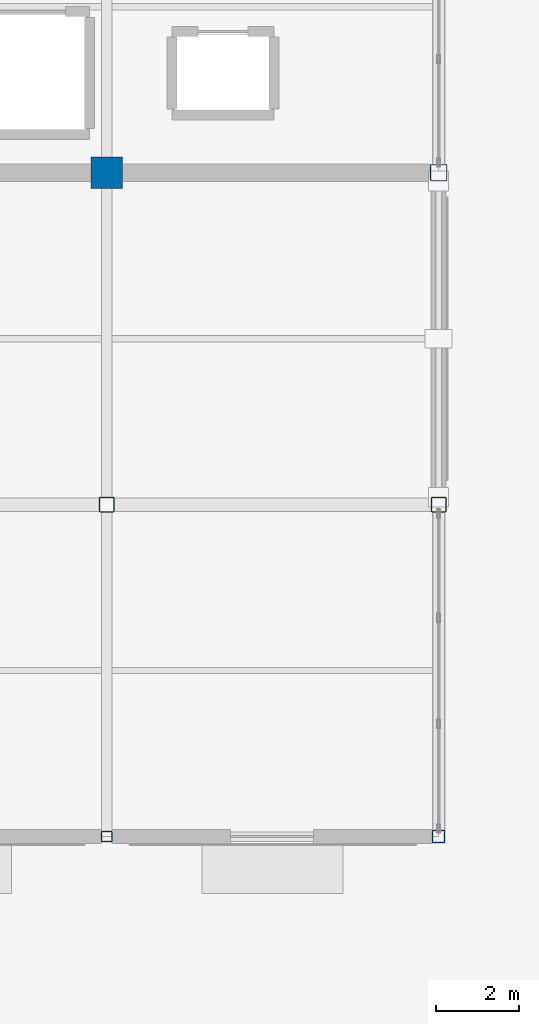
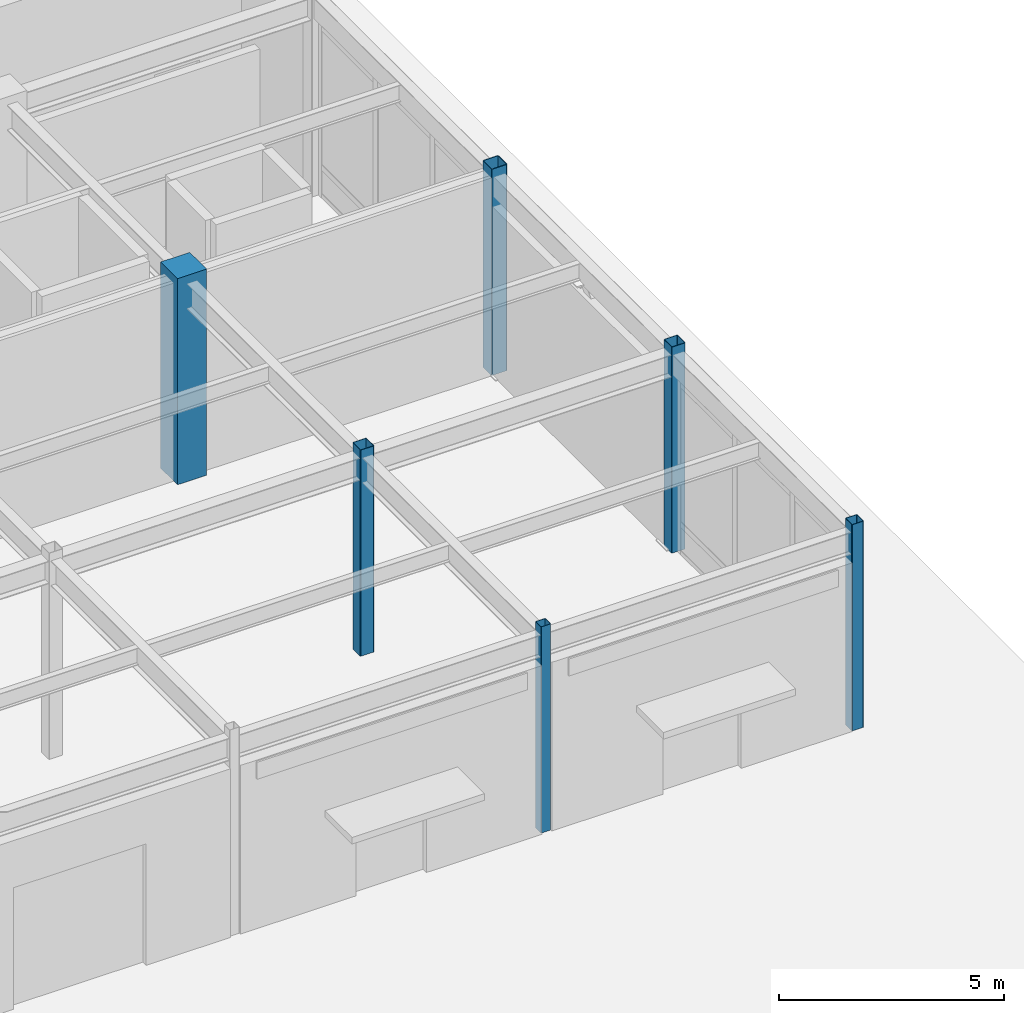
# One storey, part 30 of 128: 6 columns.
"""IFC4 building model written with IfcOpenShell, lengths in metres."""

from ifc_helpers import new_model, si_unit, direction, frame, origin, origin_2d, place, context, subcontext, project, spatial, rectangle, hollow_rectangle, extrude, material, material_profile, profile_set, type_object, element, save


model = new_model("IFC4")

# Units and contexts
model_context = context("Model", 3, precision=1e-05, world=origin(), true_north=direction((0.0, 1.0)))
body_context = subcontext(model_context, "Body", "Model", "MODEL_VIEW")
ifc_project = project(units=[si_unit("LENGTHUNIT", "METRE"), si_unit("AREAUNIT", "SQUARE_METRE"), si_unit("VOLUMEUNIT", "CUBIC_METRE"), si_unit("PLANEANGLEUNIT", "RADIAN"), si_unit("MASSUNIT", "GRAM", prefix="KILO")], contexts=[model_context])

# Site, building, storey
site_placement = place(None, origin())
site = spatial("IfcSite", under=ifc_project, at=site_placement, CompositionType="ELEMENT")
building_placement = place(site_placement, origin())
building = spatial("IfcBuilding", under=site, at=building_placement, Name="Solmirada Galleria", CompositionType="ELEMENT")
storey_placement = place(building_placement, origin())
storey = spatial("IfcBuildingStorey", under=building, at=storey_placement, Name="L00", CompositionType="ELEMENT", Elevation=0.0)

# Columns
ifc_material_1 = material(Name="Steel S355 / ASTM A500 Grade C", Category="steel")
ifc_material_profile_1 = material_profile(ifc_material_1, hollow_rectangle(XDim=0.25390625, YDim=0.25390625, WallThickness=0.0087890625, InnerFilletRadius=0.0087890625, OuterFilletRadius=0.017822265625, at=origin_2d()), Name="HSS10X10X3/8")
ifc_profile_set_1 = profile_set([ifc_material_profile_1], Name="Steel S355 / ASTM A500 Grade C")
column_type_1 = type_object("IfcColumnType", Name="COL-HSS10", PredefinedType="COLUMN", material=ifc_profile_set_1)
column_1_placement = place(storey_placement, frame((168.0, 72.0, 0.0), z_axis=(0.0, 0.0, 1.0), x_axis=(1.0, 0.0, 0.0)))
element("IfcColumn", 1, at=column_1_placement, inside=storey, type_object=column_type_1, Name="Structural column L00-1458", PredefinedType="COLUMN", context=body_context, shape_type="SweptSolid", body=[
    extrude(hollow_rectangle(XDim=0.25390625, YDim=0.25390625, WallThickness=0.0087890625, InnerFilletRadius=0.0087890625, OuterFilletRadius=0.017822265625, at=origin_2d()), origin(), (0.0, 0.0, 1.0), 5.60009765625),
])
ifc_material_profile_2 = material_profile(ifc_material_1, hollow_rectangle(XDim=0.304931640625, YDim=0.304931640625, WallThickness=0.01171875, InnerFilletRadius=0.01171875, OuterFilletRadius=0.023681640625, at=origin_2d()), Name="HSS12X12X1/2")
ifc_profile_set_2 = profile_set([ifc_material_profile_2], Name="Steel S355 / ASTM A500 Grade C")
column_type_2 = type_object("IfcColumnType", Name="COL-HSS12", PredefinedType="COLUMN", material=ifc_profile_set_2)
column_2_placement = place(storey_placement, frame((176.0, 72.0, 0.0), z_axis=(0.0, 0.0, 1.0), x_axis=(1.0, 0.0, 0.0)))
element("IfcColumn", 2, at=column_2_placement, inside=storey, type_object=column_type_2, Name="Structural column L00-1531", PredefinedType="COLUMN", context=body_context, shape_type="SweptSolid", body=[
    extrude(hollow_rectangle(XDim=0.304931640625, YDim=0.304931640625, WallThickness=0.01171875, InnerFilletRadius=0.01171875, OuterFilletRadius=0.023681640625, at=origin_2d()), origin(), (0.0, 0.0, 1.0), 5.60009765625),
])
ifc_material_profile_3 = material_profile(ifc_material_1, hollow_rectangle(XDim=0.35595703125, YDim=0.35595703125, WallThickness=0.01171875, InnerFilletRadius=0.01171875, OuterFilletRadius=0.023681640625, at=origin_2d()), Name="HSS14X14X1/2")
ifc_profile_set_3 = profile_set([ifc_material_profile_3], Name="Steel S355 / ASTM A500 Grade C")
column_type_3 = type_object("IfcColumnType", Name="COL-HSS14", PredefinedType="COLUMN", material=ifc_profile_set_3)
for number, where, z_axis, x_axis, name in (
    (3, (168.0, 80.0, 0.0), (0.0, 0.0, 1.0), (1.0, 0.0, 0.0), "Structural column L00-1461"),
    (4, (176.0, 80.0, 0.0), (0.0, 0.0, 1.0), (1.0, 0.0, 0.0), "Structural column L00-1534"),
):
    element("IfcColumn", number, at=place(storey_placement, frame(where, z_axis=z_axis, x_axis=x_axis)), inside=storey, type_object=column_type_3, Name=name, PredefinedType="COLUMN", context=body_context, shape_type="SweptSolid", body=[
        extrude(hollow_rectangle(XDim=0.35595703125, YDim=0.35595703125, WallThickness=0.01171875, InnerFilletRadius=0.01171875, OuterFilletRadius=0.023681640625, at=origin_2d()), origin(), (0.0, 0.0, 1.0), 5.60009765625),
    ])
ifc_material_profile_4 = material_profile(ifc_material_1, hollow_rectangle(XDim=0.406005859375, YDim=0.406005859375, WallThickness=0.0146484375, InnerFilletRadius=0.0146484375, OuterFilletRadius=0.029296875, at=origin_2d()), Name="HSS16X16X5/8")
ifc_profile_set_4 = profile_set([ifc_material_profile_4], Name="Steel S355 / ASTM A500 Grade C")
column_type_4 = type_object("IfcColumnType", Name="COL-HSS16", PredefinedType="COLUMN", material=ifc_profile_set_4)
column_3_placement = place(storey_placement, frame((176.0, 88.0, 0.0), z_axis=(0.0, 0.0, 1.0), x_axis=(1.0, 0.0, 0.0)))
element("IfcColumn", 5, at=column_3_placement, inside=storey, type_object=column_type_4, Name="Structural column L00-1539", PredefinedType="COLUMN", context=body_context, shape_type="SweptSolid", body=[
    extrude(hollow_rectangle(XDim=0.406005859375, YDim=0.406005859375, WallThickness=0.0146484375, InnerFilletRadius=0.0146484375, OuterFilletRadius=0.029296875, at=origin_2d()), origin(), (0.0, 0.0, 1.0), 5.60009765625),
])
ifc_material_2 = material(Name="Concrete C40/50", Category="concrete")
ifc_material_profile_5 = material_profile(ifc_material_2, rectangle(XDim=0.75, YDim=0.75, at=origin_2d()), Name="RC750X750")
ifc_profile_set_5 = profile_set([ifc_material_profile_5], Name="Concrete C40/50")
column_type_5 = type_object("IfcColumnType", Name="COL-RC750", PredefinedType="COLUMN", material=ifc_profile_set_5)
column_4_placement = place(storey_placement, frame((168.0, 88.0, 0.0), z_axis=(0.0, 0.0, 1.0), x_axis=(1.0, 0.0, 0.0)))
element("IfcColumn", 6, at=column_4_placement, inside=storey, type_object=column_type_5, Name="Structural column L00-1466", PredefinedType="COLUMN", context=body_context, shape_type="SweptSolid", body=[
    extrude(rectangle(XDim=0.75, YDim=0.75, at=origin_2d()), origin(), (0.0, 0.0, 1.0), 5.60009765625),
])

save(model, "model.ifc")
